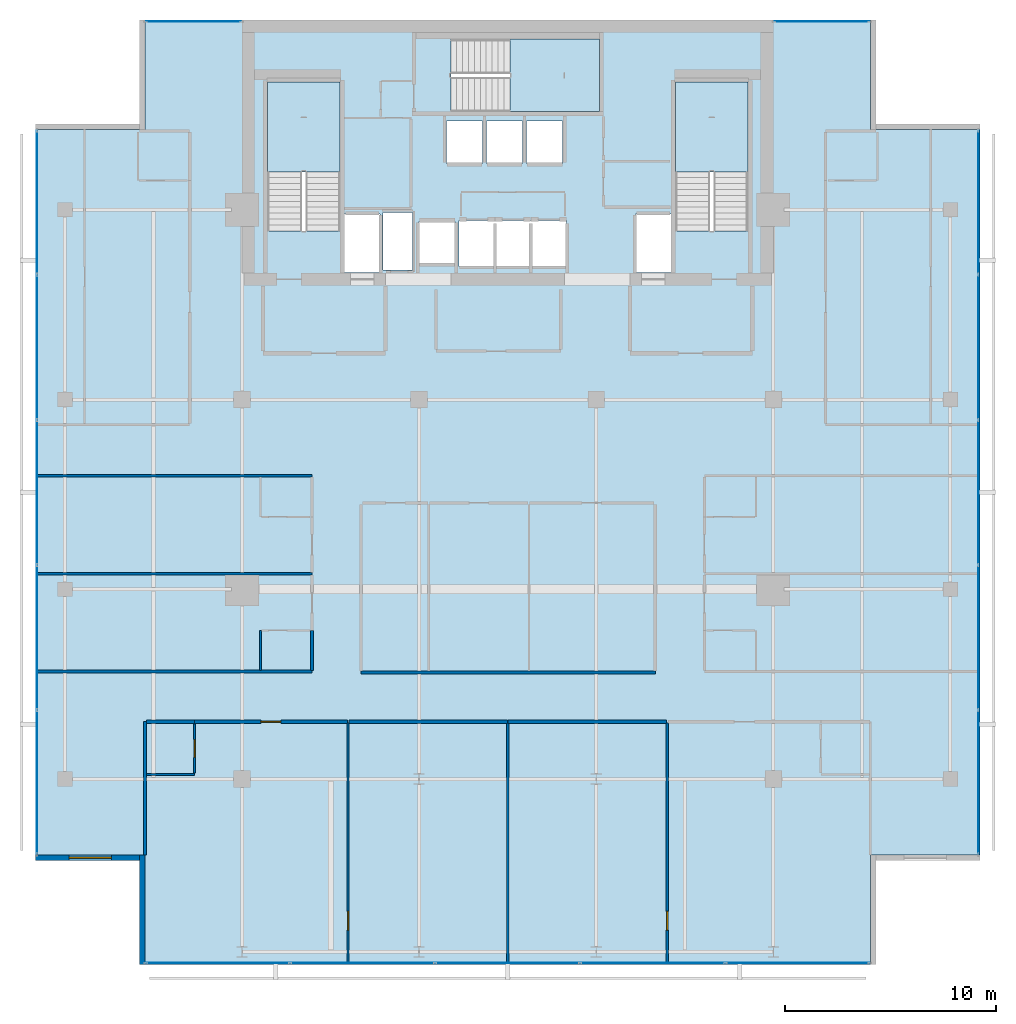
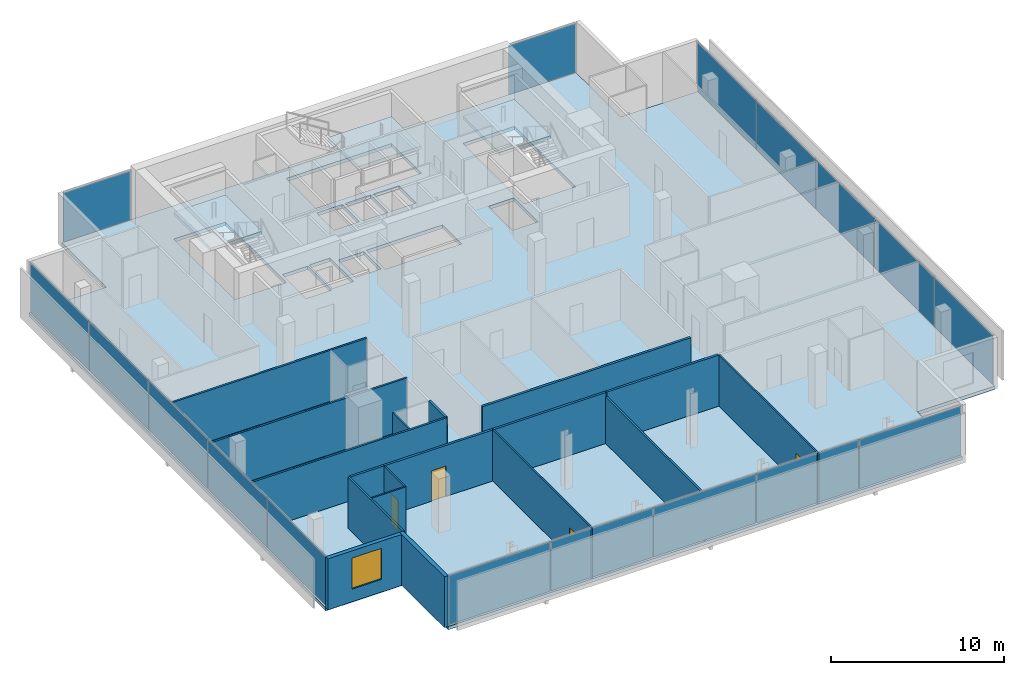
# One storey, part 19 of 25: 18 walls, 17 plates, 4 doors, 4 slabs, 1 window, 5 openings, 8 elements without a shape of their own.
"""IFC4 building model written with IfcOpenShell, lengths in metres."""

from ifc_helpers import new_model, si_unit, direction, frame, frame_2d, origin, origin_2d, place, context, subcontext, project, spatial, polyline, rectangle, outline, extrude, material, layer, layer_set, type_object, element, fill, aggregate, save


model = new_model("IFC4")

# Units and contexts
model_context = context("Model", 3, precision=1e-05, world=origin(), true_north=direction((0.0, 1.0)))
body_context = subcontext(model_context, "Body", "Model", "MODEL_VIEW")
ifc_project = project(units=[si_unit("LENGTHUNIT", "METRE"), si_unit("AREAUNIT", "SQUARE_METRE"), si_unit("VOLUMEUNIT", "CUBIC_METRE"), si_unit("PLANEANGLEUNIT", "RADIAN"), si_unit("MASSUNIT", "GRAM", prefix="KILO")], contexts=[model_context])

# Site, building, storey
site_placement = place(None, origin())
site = spatial("IfcSite", under=ifc_project, at=site_placement, CompositionType="ELEMENT")
building_placement = place(site_placement, origin())
building = spatial("IfcBuilding", under=site, at=building_placement, Name="Maruvema Waterfront Hotel and Observation Tower", CompositionType="ELEMENT")
storey_placement = place(building_placement, frame((0.0, 0.0, 281.75)))
storey = spatial("IfcBuildingStorey", under=building, at=storey_placement, Name="L69", CompositionType="ELEMENT", Elevation=281.75)

# Slab
ifc_material_1 = material(Name="Concrete C50/60", Category="concrete")
ifc_layer_1 = layer(ifc_material_1, 0.239990234375, Name="Reinforced Concrete Floor Slab 240 mm")
ifc_layer_set_1 = layer_set([ifc_layer_1], Name="Concrete C50/60")
slab_type_1 = type_object("IfcSlabType", Name="Reinforced Concrete Floor Slab 240 mm", PredefinedType="FLOOR", material=ifc_layer_set_1)
slab_1_placement = place(storey_placement, frame((0.0, 0.0, -0.239990234375)))
element("IfcSlab", 1, at=slab_1_placement, inside=storey, type_object=slab_type_1, Name="L69 Structural Floor Slab", PredefinedType="FLOOR", context=body_context, shape_type="SweptSolid", body=[
    extrude(outline(polyline([(20.60009765625, 9.199951171875), (55.0, 9.199951171875), (55.0, 14.39990234375), (60.199951171875, 14.39990234375), (60.199951171875, 48.800048828125), (55.0, 48.800048828125), (55.0, 54.0), (20.60009765625, 54.0), (20.60009765625, 48.800048828125), (15.39990234375, 48.800048828125), (15.39990234375, 14.39990234375), (20.60009765625, 14.39990234375), (20.60009765625, 9.199951171875)]), holes=[polyline([(26.39990234375, 44.00048828125), (26.39990234375, 51.050048828125), (29.85009765625, 51.050048828125), (29.85009765625, 44.00048828125), (26.39990234375, 44.00048828125)]), polyline([(30.050048828125, 44.800048828125), (31.75, 44.800048828125), (31.75, 42.02001953125), (30.050048828125, 42.02001953125), (30.050048828125, 44.800048828125)]), polyline([(31.8798828125, 42.139892578125), (31.8798828125, 44.860107421875), (33.280029296875, 44.860107421875), (33.280029296875, 42.139892578125), (31.8798828125, 42.139892578125)]), polyline([(33.60009765625, 44.449951171875), (35.300048828125, 44.449951171875), (35.300048828125, 42.449951171875), (33.60009765625, 42.449951171875), (33.60009765625, 44.449951171875)]), polyline([(34.89990234375, 49.199951171875), (36.60009765625, 49.199951171875), (36.60009765625, 47.199951171875), (34.89990234375, 47.199951171875), (34.89990234375, 49.199951171875)]), polyline([(36.800048828125, 47.199951171875), (36.800048828125, 49.199951171875), (38.5, 49.199951171875), (38.5, 47.199951171875), (36.800048828125, 47.199951171875)]), polyline([(35.5, 42.300048828125), (35.5, 44.5), (40.60009765625, 44.5), (40.60009765625, 42.300048828125), (35.5, 42.300048828125)]), polyline([(35.1005859375, 53.10009765625), (42.14990234375, 53.10009765625), (42.14990234375, 49.64990234375), (35.1005859375, 49.64990234375), (35.1005859375, 53.10009765625)]), polyline([(38.699951171875, 49.199951171875), (40.39990234375, 49.199951171875), (40.39990234375, 47.199951171875), (38.699951171875, 47.199951171875), (38.699951171875, 49.199951171875)]), polyline([(43.85009765625, 44.800048828125), (45.550048828125, 44.800048828125), (45.550048828125, 42.02001953125), (43.85009765625, 42.02001953125), (43.85009765625, 44.800048828125)]), polyline([(45.75, 44.00048828125), (45.75, 51.050048828125), (49.199951171875, 51.050048828125), (49.199951171875, 44.00048828125), (45.75, 44.00048828125)])]), origin(), (0.0, 0.0, 1.0), 0.239990234375),
])

# Curtain wall, plates
ifc_material_2 = material(Name="Anodised bronze aluminium and solar-control low-E IGU", Category="aluminium")
ifc_layer_2 = layer(ifc_material_2, 0.159912109375, Name="Zone 3 Champagne Inner Thermal Curtain Wall System CW-04")
ifc_layer_set_2 = layer_set([ifc_layer_2], Name="Anodised bronze aluminium and solar-control low-E IGU")
curtain_wall_type = type_object("IfcCurtainWallType", Name="Zone 3 Champagne Inner Thermal Curtain Wall System CW-04", PredefinedType="USERDEFINED", material=ifc_layer_set_2)
curtain_wall_1_placement = place(storey_placement, origin())
curtain_wall_1 = element("IfcCurtainWall", 2, at=curtain_wall_1_placement, inside=storey, type_object=curtain_wall_type, Name="L69 Curtain Wall CW-L69-S", ObjectType="UNITISED CURTAIN WALL", PredefinedType="USERDEFINED")
ifc_material_3 = material(Name="Laminated low-E solar-control double glazing", Category="glass")
ifc_layer_3 = layer(ifc_material_3, 0.035888671875, Name="Solar Control Double-Glazed Curtain Panel 36 mm")
ifc_layer_set_3 = layer_set([ifc_layer_3], Name="Laminated low-E solar-control double glazing")
plate_type = type_object("IfcPlateType", Name="Solar Control Double-Glazed Curtain Panel 36 mm", PredefinedType="CURTAIN_PANEL", material=ifc_layer_set_3)
plate_1_placement = place(storey_placement, frame((24.054931640625, 9.280029296875, 0.06005859375), z_axis=(0.0, 0.0, 1.0), x_axis=(1.0, 0.0, 0.0)))
plate_1 = element("IfcPlate", 3, at=plate_1_placement, type_object=plate_type, Name="CW-04 panel 1.1", PredefinedType="CURTAIN_PANEL", context=body_context, shape_type="SweptSolid", body=[
    extrude(rectangle(XDim=6.7900390625, YDim=0.028076171875, at=origin_2d()), origin(), (0.0, 0.0, 1.0), 3.489990234375),
])
plate_2_placement = place(storey_placement, frame((30.919921875, 9.280029296875, 0.06005859375), z_axis=(0.0, 0.0, 1.0), x_axis=(1.0, 0.0, 0.0)))
plate_2 = element("IfcPlate", 4, at=plate_2_placement, type_object=plate_type, Name="CW-04 panel 2.1", PredefinedType="CURTAIN_PANEL", context=body_context, shape_type="SweptSolid", body=[
    extrude(rectangle(XDim=6.820068359375, YDim=0.028076171875, at=origin_2d()), origin(), (0.0, 0.0, 1.0), 3.489990234375),
])
plate_3_placement = place(storey_placement, frame((37.800048828125, 9.280029296875, 0.06005859375), z_axis=(0.0, 0.0, 1.0), x_axis=(1.0, 0.0, 0.0)))
plate_3 = element("IfcPlate", 5, at=plate_3_placement, type_object=plate_type, Name="CW-04 panel 3.1", PredefinedType="CURTAIN_PANEL", context=body_context, shape_type="SweptSolid", body=[
    extrude(rectangle(XDim=6.820068359375, YDim=0.028076171875, at=origin_2d()), origin(), (0.0, 0.0, 1.0), 3.489990234375),
])
plate_4_placement = place(storey_placement, frame((44.679931640625, 9.280029296875, 0.06005859375), z_axis=(0.0, 0.0, 1.0), x_axis=(1.0, 0.0, 0.0)))
plate_4 = element("IfcPlate", 6, at=plate_4_placement, type_object=plate_type, Name="CW-04 panel 4.1", PredefinedType="CURTAIN_PANEL", context=body_context, shape_type="SweptSolid", body=[
    extrude(rectangle(XDim=6.820068359375, YDim=0.028076171875, at=origin_2d()), origin(), (0.0, 0.0, 1.0), 3.489990234375),
])
plate_5_placement = place(storey_placement, frame((51.544921875, 9.280029296875, 0.06005859375), z_axis=(0.0, 0.0, 1.0), x_axis=(1.0, 0.0, 0.0)))
plate_5 = element("IfcPlate", 7, at=plate_5_placement, type_object=plate_type, Name="CW-04 panel 5.1", PredefinedType="CURTAIN_PANEL", context=body_context, shape_type="SweptSolid", body=[
    extrude(rectangle(XDim=6.7900390625, YDim=0.028076171875, at=origin_2d()), origin(), (0.0, 0.0, 1.0), 3.489990234375),
])
aggregate(curtain_wall_1, [plate_1, plate_2, plate_3, plate_4, plate_5])

curtain_wall_2_placement = place(storey_placement, origin())
curtain_wall_2 = element("IfcCurtainWall", 8, at=curtain_wall_2_placement, inside=storey, type_object=curtain_wall_type, Name="L69 Curtain Wall CW-L69-E", ObjectType="UNITISED CURTAIN WALL", PredefinedType="USERDEFINED")
plate_6_placement = place(storey_placement, frame((60.1201171875, 17.85498046875, 0.06005859375), z_axis=(0.0, 0.0, 1.0), x_axis=(0.0, 1.0, 0.0)))
plate_6 = element("IfcPlate", 9, at=plate_6_placement, type_object=plate_type, Name="CW-04 panel 1.1", PredefinedType="CURTAIN_PANEL", context=body_context, shape_type="SweptSolid", body=[
    extrude(rectangle(XDim=6.7900390625, YDim=0.028076171875, at=origin_2d()), origin(), (0.0, 0.0, 1.0), 3.489990234375),
])
plate_7_placement = place(storey_placement, frame((60.1201171875, 24.719970703125, 0.06005859375), z_axis=(0.0, 0.0, 1.0), x_axis=(0.0, 1.0, 0.0)))
plate_7 = element("IfcPlate", 10, at=plate_7_placement, type_object=plate_type, Name="CW-04 panel 2.1", PredefinedType="CURTAIN_PANEL", context=body_context, shape_type="SweptSolid", body=[
    extrude(rectangle(XDim=6.820068359375, YDim=0.028076171875, at=origin_2d()), origin(), (0.0, 0.0, 1.0), 3.489990234375),
])
plate_8_placement = place(storey_placement, frame((60.1201171875, 31.60009765625, 0.06005859375), z_axis=(0.0, 0.0, 1.0), x_axis=(0.0, 1.0, 0.0)))
plate_8 = element("IfcPlate", 11, at=plate_8_placement, type_object=plate_type, Name="CW-04 panel 3.1", PredefinedType="CURTAIN_PANEL", context=body_context, shape_type="SweptSolid", body=[
    extrude(rectangle(XDim=6.820068359375, YDim=0.028076171875, at=origin_2d()), origin(), (0.0, 0.0, 1.0), 3.489990234375),
])
plate_9_placement = place(storey_placement, frame((60.1201171875, 38.47998046875, 0.06005859375), z_axis=(0.0, 0.0, 1.0), x_axis=(0.0, 1.0, 0.0)))
plate_9 = element("IfcPlate", 12, at=plate_9_placement, type_object=plate_type, Name="CW-04 panel 4.1", PredefinedType="CURTAIN_PANEL", context=body_context, shape_type="SweptSolid", body=[
    extrude(rectangle(XDim=6.820068359375, YDim=0.028076171875, at=origin_2d()), origin(), (0.0, 0.0, 1.0), 3.489990234375),
])
plate_10_placement = place(storey_placement, frame((60.1201171875, 45.344970703125, 0.06005859375), z_axis=(0.0, 0.0, 1.0), x_axis=(0.0, 1.0, 0.0)))
plate_10 = element("IfcPlate", 13, at=plate_10_placement, type_object=plate_type, Name="CW-04 panel 5.1", PredefinedType="CURTAIN_PANEL", context=body_context, shape_type="SweptSolid", body=[
    extrude(rectangle(XDim=6.7900390625, YDim=0.028076171875, at=origin_2d()), origin(), (0.0, 0.0, 1.0), 3.489990234375),
])
aggregate(curtain_wall_2, [plate_6, plate_7, plate_8, plate_9, plate_10])

curtain_wall_3_placement = place(storey_placement, origin())
curtain_wall_3 = element("IfcCurtainWall", 14, at=curtain_wall_3_placement, inside=storey, type_object=curtain_wall_type, Name="L69 Curtain Wall CW-L69-W", ObjectType="UNITISED CURTAIN WALL", PredefinedType="USERDEFINED")
plate_11_placement = place(storey_placement, frame((15.47998046875, 45.344970703125, 0.06005859375), z_axis=(0.0, 0.0, 1.0), x_axis=(0.0, -1.0, 0.0)))
plate_11 = element("IfcPlate", 15, at=plate_11_placement, type_object=plate_type, Name="CW-04 panel 1.1", PredefinedType="CURTAIN_PANEL", context=body_context, shape_type="SweptSolid", body=[
    extrude(rectangle(XDim=6.7900390625, YDim=0.028076171875, at=origin_2d()), origin(), (0.0, 0.0, 1.0), 3.489990234375),
])
plate_12_placement = place(storey_placement, frame((15.47998046875, 38.47998046875, 0.06005859375), z_axis=(0.0, 0.0, 1.0), x_axis=(0.0, -1.0, 0.0)))
plate_12 = element("IfcPlate", 16, at=plate_12_placement, type_object=plate_type, Name="CW-04 panel 2.1", PredefinedType="CURTAIN_PANEL", context=body_context, shape_type="SweptSolid", body=[
    extrude(rectangle(XDim=6.820068359375, YDim=0.028076171875, at=origin_2d()), origin(), (0.0, 0.0, 1.0), 3.489990234375),
])
plate_13_placement = place(storey_placement, frame((15.47998046875, 31.60009765625, 0.06005859375), z_axis=(0.0, 0.0, 1.0), x_axis=(0.0, -1.0, 0.0)))
plate_13 = element("IfcPlate", 17, at=plate_13_placement, type_object=plate_type, Name="CW-04 panel 3.1", PredefinedType="CURTAIN_PANEL", context=body_context, shape_type="SweptSolid", body=[
    extrude(rectangle(XDim=6.820068359375, YDim=0.028076171875, at=origin_2d()), origin(), (0.0, 0.0, 1.0), 3.489990234375),
])
plate_14_placement = place(storey_placement, frame((15.47998046875, 24.719970703125, 0.06005859375), z_axis=(0.0, 0.0, 1.0), x_axis=(0.0, -1.0, 0.0)))
plate_14 = element("IfcPlate", 18, at=plate_14_placement, type_object=plate_type, Name="CW-04 panel 4.1", PredefinedType="CURTAIN_PANEL", context=body_context, shape_type="SweptSolid", body=[
    extrude(rectangle(XDim=6.820068359375, YDim=0.028076171875, at=origin_2d()), origin(), (0.0, 0.0, 1.0), 3.489990234375),
])
plate_15_placement = place(storey_placement, frame((15.47998046875, 17.85498046875, 0.06005859375), z_axis=(0.0, 0.0, 1.0), x_axis=(0.0, -1.0, 0.0)))
plate_15 = element("IfcPlate", 19, at=plate_15_placement, type_object=plate_type, Name="CW-04 panel 5.1", PredefinedType="CURTAIN_PANEL", context=body_context, shape_type="SweptSolid", body=[
    extrude(rectangle(XDim=6.7900390625, YDim=0.028076171875, at=origin_2d()), origin(), (0.0, 0.0, 1.0), 3.489990234375),
])
aggregate(curtain_wall_3, [plate_11, plate_12, plate_13, plate_14, plate_15])

# Curtain wall, plate
curtain_wall_4_placement = place(storey_placement, origin())
curtain_wall_4 = element("IfcCurtainWall", 20, at=curtain_wall_4_placement, inside=storey, type_object=curtain_wall_type, Name="L69 Curtain Wall CW-L69-NW", ObjectType="UNITISED CURTAIN WALL", PredefinedType="USERDEFINED")
plate_16_placement = place(storey_placement, frame((22.89990234375, 53.919921875, 0.06005859375), z_axis=(0.0, 0.0, 1.0), x_axis=(-1.0, 0.0, 0.0)))
plate_16 = element("IfcPlate", 21, at=plate_16_placement, type_object=plate_type, Name="CW-04 panel 1.1", PredefinedType="CURTAIN_PANEL", context=body_context, shape_type="SweptSolid", body=[
    extrude(rectangle(XDim=4.47998046875, YDim=0.028076171875, at=origin_2d()), origin(), (0.0, 0.0, 1.0), 3.489990234375),
])
aggregate(curtain_wall_4, [plate_16])

curtain_wall_5_placement = place(storey_placement, origin())
curtain_wall_5 = element("IfcCurtainWall", 22, at=curtain_wall_5_placement, inside=storey, type_object=curtain_wall_type, Name="L69 Curtain Wall CW-L69-NE", ObjectType="UNITISED CURTAIN WALL", PredefinedType="USERDEFINED")
plate_17_placement = place(storey_placement, frame((52.699951171875, 53.919921875, 0.06005859375), z_axis=(0.0, 0.0, 1.0), x_axis=(-1.0, 0.0, 0.0)))
plate_17 = element("IfcPlate", 23, at=plate_17_placement, type_object=plate_type, Name="CW-04 panel 1.1", PredefinedType="CURTAIN_PANEL", context=body_context, shape_type="SweptSolid", body=[
    extrude(rectangle(XDim=4.47998046875, YDim=0.028076171875, at=origin_2d()), origin(), (0.0, 0.0, 1.0), 3.489990234375),
])
aggregate(curtain_wall_5, [plate_17])

# Stair, slab
ifc_material_4 = material(Name="Concrete C50/60", Category="concrete")
stair_type = type_object("IfcStairType", Name="Dogleg Exit Stair 1650 mm (22R x 175.0 mm)", PredefinedType="HALF_TURN_STAIR", material=ifc_material_4)
stair_1_placement = place(storey_placement, origin())
stair_1 = element("IfcStair", 24, at=stair_1_placement, inside=storey, type_object=stair_type, Name="L69 ST-01", PredefinedType="HALF_TURN_STAIR")
ifc_material_5 = material(Name="Concrete C50/60", Category="concrete")
ifc_layer_4 = layer(ifc_material_5, 0.219970703125, Name="Stair Concrete Landing Slab 220 mm")
ifc_layer_set_4 = layer_set([ifc_layer_4], Name="Concrete C50/60")
slab_type_2 = type_object("IfcSlabType", Name="Stair Concrete Landing Slab 220 mm", PredefinedType="LANDING", material=ifc_layer_set_4)
slab_2_placement = place(storey_placement, frame((0.0, 0.0, 1.705078125)))
slab_2 = element("IfcSlab", 25, at=slab_2_placement, type_object=slab_type_2, Name="ST-01 landing 1", PredefinedType="LANDING", context=body_context, shape_type="SweptSolid", body=[
    extrude(outline(polyline([(29.85009765625, 46.800048828125), (29.85009765625, 51.050048828125), (26.39990234375, 51.050048828125), (26.39990234375, 46.800048828125), (29.85009765625, 46.800048828125)])), origin(), (0.0, 0.0, 1.0), 0.219970703125),
])
aggregate(stair_1, [slab_2])

stair_2_placement = place(storey_placement, origin())
stair_2 = element("IfcStair", 26, at=stair_2_placement, inside=storey, type_object=stair_type, Name="L69 ST-02", PredefinedType="HALF_TURN_STAIR")
slab_3_placement = place(storey_placement, frame((0.0, 0.0, 1.705078125)))
slab_3 = element("IfcSlab", 27, at=slab_3_placement, type_object=slab_type_2, Name="ST-02 landing 1", PredefinedType="LANDING", context=body_context, shape_type="SweptSolid", body=[
    extrude(outline(polyline([(37.89990234375, 49.64990234375), (42.14990234375, 49.64990234375), (42.14990234375, 53.10009765625), (37.89990234375, 53.10009765625), (37.89990234375, 49.64990234375)])), origin(), (0.0, 0.0, 1.0), 0.219970703125),
])
aggregate(stair_2, [slab_3])

stair_3_placement = place(storey_placement, origin())
stair_3 = element("IfcStair", 28, at=stair_3_placement, inside=storey, type_object=stair_type, Name="L69 ST-03", PredefinedType="HALF_TURN_STAIR")
slab_4_placement = place(storey_placement, frame((0.0, 0.0, 1.705078125)))
slab_4 = element("IfcSlab", 29, at=slab_4_placement, type_object=slab_type_2, Name="ST-03 landing 1", PredefinedType="LANDING", context=body_context, shape_type="SweptSolid", body=[
    extrude(outline(polyline([(49.199951171875, 46.800048828125), (49.199951171875, 51.050048828125), (45.75, 51.050048828125), (45.75, 46.800048828125), (49.199951171875, 46.800048828125)])), origin(), (0.0, 0.0, 1.0), 0.219970703125),
])
aggregate(stair_3, [slab_4])

# Walls
ifc_material_6 = material(Name="Twin-stud acoustic gypsum drywall", Category="gypsum")
ifc_layer_5 = layer(ifc_material_6, 0.14990234375, Name="Acoustic Corridor and Suite Demising Wall 150 mm")
ifc_layer_set_5 = layer_set([ifc_layer_5], Name="Twin-stud acoustic gypsum drywall")
wall_type_1 = type_object("IfcWallType", Name="Acoustic Corridor and Suite Demising Wall 150 mm", PredefinedType="PARTITIONING", material=ifc_layer_set_5)
wall_1_placement = place(storey_placement, frame((30.85009765625, 23.050048828125, 0.0), z_axis=(0.0, 0.0, 1.0), x_axis=(1.0, 0.0, 0.0)))
element("IfcWall", 30, at=wall_1_placement, inside=storey, type_object=wall_type_1, Name="L69 L69-Z3M Back Wall 025", PredefinedType="PARTITIONING", context=body_context, shape_type="SweptSolid", body=[
    extrude(rectangle(XDim=13.949951171875, YDim=0.14990234375, at=frame_2d((6.97509765625, 0.0))), origin(), (0.0, 0.0, 1.0), 3.610107421875),
])
wall_2_placement = place(storey_placement, frame((20.679931640625, 20.719970703125, 0.0), z_axis=(0.0, 0.0, 1.0), x_axis=(1.0, 0.0, 0.0)))
element("IfcWall", 31, at=wall_2_placement, inside=storey, type_object=wall_type_1, Name="L69 Bath L69-S1 Back Wall 035", PredefinedType="PARTITIONING", context=body_context, shape_type="SweptSolid", body=[
    extrude(rectangle(XDim=2.27001953125, YDim=0.14990234375, at=frame_2d((1.135009765625, 0.0))), origin(), (0.0, 0.0, 1.0), 3.610107421875),
])

# Wall, opening, door
wall_3_placement = place(storey_placement, frame((22.949951171875, 20.719970703125, 0.0), z_axis=(0.0, 0.0, 1.0), x_axis=(1.0, 0.0, 0.0)))
wall_3 = element("IfcWall", 32, at=wall_3_placement, inside=storey, type_object=wall_type_1, Name="L69 Unit L69-S1 Corridor Wall 038", PredefinedType="PARTITIONING", context=body_context, shape_type="SweptSolid", body=[
    extrude(rectangle(XDim=7.241943359375, YDim=0.14990234375, at=frame_2d((3.62109375, 0.0))), origin(), (0.0, 0.0, 1.0), 3.610107421875),
])
opening_1_placement = place(wall_3_placement, frame((3.14599609375, 0.0, 0.0)))
opening_1 = element("IfcOpeningElement", 33, at=opening_1_placement, cuts=wall_3, Name="Opening DR-095", PredefinedType="OPENING", context=body_context, shape_type="SweptSolid", body=[
    extrude(rectangle(XDim=0.949951171875, YDim=2.14990234375, at=frame_2d((0.47509765625, 1.074951171875))), frame((0.0, 0.0849609375, 0.0), z_axis=(0.0, -1.0, 0.0), x_axis=(1.0, 0.0, 0.0)), (0.0, 0.0, 1.0), 0.169921875),
])
ifc_material_7 = material(Name="Acoustic solid-core hardwood timber leaf", Category="wood")
door_type_1 = type_object("IfcDoorType", Name="Guestroom Entrance Fire Door 950x2150 mm", OperationType="NOTDEFINED", PredefinedType="DOOR", material=ifc_material_7)
door_1_placement = place(opening_1_placement, frame((0.949951171875, 0.0, 0.0), z_axis=(0.0, 0.0, 1.0), x_axis=(-1.0, 0.0, 0.0)))
door_1 = element("IfcDoor", 34, at=door_1_placement, inside=storey, type_object=door_type_1, Name="L69 Unit L69-S1 Entrance Door", OperationType="SINGLE_SWING_LEFT", OverallHeight=2.14990234375, OverallWidth=0.949951171875, PredefinedType="DOOR", context=body_context, shape_type="SweptSolid", body=[
    extrude(rectangle(XDim=0.949951171875, YDim=2.14990234375, at=frame_2d((0.47509765625, 1.074951171875))), frame((0.0, 0.02490234375, 0.0), z_axis=(0.0, -1.0, 0.0), x_axis=(1.0, 0.0, 0.0)), (0.0, 0.0, 1.0), 0.050048828125),
])
fill(opening_1, door_1)

# Walls
wall_4_placement = place(storey_placement, frame((30.27197265625, 20.719970703125, 0.0), z_axis=(0.0, 0.0, 1.0), x_axis=(1.0, 0.0, 0.0)))
element("IfcWall", 35, at=wall_4_placement, inside=storey, type_object=wall_type_1, Name="L69 Bedroom L69-S1 Back Wall 039", PredefinedType="PARTITIONING", context=body_context, shape_type="SweptSolid", body=[
    extrude(rectangle(XDim=7.508056640625, YDim=0.14990234375, at=frame_2d((3.75390625, 0.0))), origin(), (0.0, 0.0, 1.0), 3.610107421875),
])
wall_5_placement = place(storey_placement, frame((37.820068359375, 20.719970703125, 0.0), z_axis=(0.0, 0.0, 1.0), x_axis=(1.0, 0.0, 0.0)))
element("IfcWall", 36, at=wall_5_placement, inside=storey, type_object=wall_type_1, Name="L69 Bedroom L69-S2 Back Wall 045", PredefinedType="PARTITIONING", context=body_context, shape_type="SweptSolid", body=[
    extrude(rectangle(XDim=7.5078125, YDim=0.14990234375, at=frame_2d((3.75390625, 0.0))), origin(), (0.0, 0.0, 1.0), 3.610107421875),
])
wall_6_placement = place(storey_placement, frame((28.52001953125, 23.159912109375, 0.0), z_axis=(0.0, 0.0, 1.0), x_axis=(0.0, 1.0, 0.0)))
element("IfcWall", 37, at=wall_6_placement, inside=storey, type_object=wall_type_1, Name="L69 Bath L69-W1 Wall 052", PredefinedType="PARTITIONING", context=body_context, shape_type="SweptSolid", body=[
    extrude(rectangle(XDim=1.89013671875, YDim=0.14990234375, at=frame_2d((0.945068359375, 0.0))), origin(), (0.0, 0.0, 1.0), 3.610107421875),
])
ifc_material_8 = material(Name="Moisture-resistant cement-board drywall", Category="gypsum")
ifc_layer_6 = layer(ifc_material_8, 0.10009765625, Name="En-Suite Moisture-Resistant Partition 100 mm")
ifc_layer_set_6 = layer_set([ifc_layer_6], Name="Moisture-resistant cement-board drywall")
wall_type_2 = type_object("IfcWallType", Name="En-Suite Moisture-Resistant Partition 100 mm", PredefinedType="PARTITIONING", material=ifc_layer_set_6)
wall_7_placement = place(storey_placement, frame((20.679931640625, 18.219970703125, 0.0), z_axis=(0.0, 0.0, 1.0), x_axis=(1.0, 0.0, 0.0)))
element("IfcWall", 38, at=wall_7_placement, inside=storey, type_object=wall_type_2, Name="L69 En-Suite L69-S1 South 036", PredefinedType="PARTITIONING", context=body_context, shape_type="SweptSolid", body=[
    extrude(rectangle(XDim=2.27001953125, YDim=0.10009765625, at=frame_2d((1.135009765625, 0.0))), origin(), (0.0, 0.0, 1.0), 3.610107421875),
])

# Wall, opening, door
wall_8_placement = place(storey_placement, frame((22.949951171875, 18.280029296875, 0.0), z_axis=(0.0, 0.0, 1.0), x_axis=(0.0, 1.0, 0.0)))
wall_8 = element("IfcWall", 39, at=wall_8_placement, inside=storey, type_object=wall_type_2, Name="L69 En-Suite L69-S1 East 037", PredefinedType="PARTITIONING", context=body_context, shape_type="SweptSolid", body=[
    extrude(rectangle(XDim=2.340087890625, YDim=0.10009765625, at=frame_2d((1.169921875, 0.0))), origin(), (0.0, 0.0, 1.0), 3.610107421875),
])
opening_2_placement = place(wall_8_placement, frame((0.7451171875, 0.0, 0.0)))
opening_2 = element("IfcOpeningElement", 40, at=opening_2_placement, cuts=wall_8, Name="Opening DR-085", PredefinedType="OPENING", context=body_context, shape_type="SweptSolid", body=[
    extrude(rectangle(XDim=0.85009765625, YDim=2.10009765625, at=frame_2d((0.425048828125, 1.050048828125))), frame((0.0, 0.06005859375, 0.0), z_axis=(0.0, -1.0, 0.0), x_axis=(1.0, 0.0, 0.0)), (0.0, 0.0, 1.0), 0.1201171875),
])
ifc_material_9 = material(Name="Moisture-resistant solid timber leaf", Category="wood")
door_type_2 = type_object("IfcDoorType", Name="En-Suite Bathroom Door 850x2100 mm", OperationType="NOTDEFINED", PredefinedType="DOOR", material=ifc_material_9)
door_2_placement = place(opening_2_placement, frame((0.85009765625, 0.0, 0.0), z_axis=(0.0, 0.0, 1.0), x_axis=(-1.0, 0.0, 0.0)))
door_2 = element("IfcDoor", 41, at=door_2_placement, inside=storey, type_object=door_type_2, Name="L69 En-Suite L69-S1 Door", OperationType="SINGLE_SWING_RIGHT", OverallHeight=2.10009765625, OverallWidth=0.85009765625, PredefinedType="DOOR", context=body_context, shape_type="SweptSolid", body=[
    extrude(rectangle(XDim=0.85009765625, YDim=2.10009765625, at=frame_2d((0.425048828125, 1.050048828125))), frame((0.0, 0.02490234375, 0.0), z_axis=(0.0, -1.0, 0.0), x_axis=(1.0, 0.0, 0.0)), (0.0, 0.0, 1.0), 0.050048828125),
])
fill(opening_2, door_2)

wall_9_placement = place(storey_placement, frame((30.23193359375, 9.22998046875, 0.0), z_axis=(0.0, 0.0, 1.0), x_axis=(0.0, 1.0, 0.0)))
wall_9 = element("IfcWall", 42, at=wall_9_placement, inside=storey, type_object=wall_type_2, Name="L69 Suite L69-S1 Split 040", PredefinedType="PARTITIONING", context=body_context, shape_type="SweptSolid", body=[
    extrude(rectangle(XDim=11.429931640625, YDim=0.10009765625, at=frame_2d((5.71484375, 0.0))), origin(), (0.0, 0.0, 1.0), 3.610107421875),
])
opening_3_placement = place(wall_9_placement, frame((1.60009765625, 0.0, 0.0)))
opening_3 = element("IfcOpeningElement", 43, at=opening_3_placement, cuts=wall_9, Name="Opening DR-090", PredefinedType="OPENING", context=body_context, shape_type="SweptSolid", body=[
    extrude(rectangle(XDim=0.89990234375, YDim=2.10009765625, at=frame_2d((0.449951171875, 1.050048828125))), frame((0.0, 0.06005859375, 0.0), z_axis=(0.0, -1.0, 0.0), x_axis=(1.0, 0.0, 0.0)), (0.0, 0.0, 1.0), 0.1201171875),
])
ifc_material_10 = material(Name="Solid-core lacquered timber leaf", Category="wood")
door_type_3 = type_object("IfcDoorType", Name="Accessible Toilet and Room Door 900x2100 mm", OperationType="NOTDEFINED", PredefinedType="DOOR", material=ifc_material_10)
door_3_placement = place(opening_3_placement, origin())
door_3 = element("IfcDoor", 44, at=door_3_placement, inside=storey, type_object=door_type_3, Name="L69 Suite L69-S1 Bedroom Door", OperationType="SINGLE_SWING_RIGHT", OverallHeight=2.10009765625, OverallWidth=0.89990234375, PredefinedType="DOOR", context=body_context, shape_type="SweptSolid", body=[
    extrude(rectangle(XDim=0.89990234375, YDim=2.10009765625, at=frame_2d((0.449951171875, 1.050048828125))), frame((0.0, 0.02490234375, 0.0), z_axis=(0.0, -1.0, 0.0), x_axis=(1.0, 0.0, 0.0)), (0.0, 0.0, 1.0), 0.050048828125),
])
fill(opening_3, door_3)

wall_10_placement = place(storey_placement, frame((45.367919921875, 9.22998046875, 0.0), z_axis=(0.0, 0.0, 1.0), x_axis=(0.0, 1.0, 0.0)))
wall_10 = element("IfcWall", 45, at=wall_10_placement, inside=storey, type_object=wall_type_2, Name="L69 Suite L69-S2 Split 047", PredefinedType="PARTITIONING", context=body_context, shape_type="SweptSolid", body=[
    extrude(rectangle(XDim=11.429931640625, YDim=0.10009765625, at=frame_2d((5.71484375, 0.0))), origin(), (0.0, 0.0, 1.0), 3.610107421875),
])
opening_4_placement = place(wall_10_placement, frame((1.60009765625, 0.0, 0.0)))
opening_4 = element("IfcOpeningElement", 46, at=opening_4_placement, cuts=wall_10, Name="Opening DR-090", PredefinedType="OPENING", context=body_context, shape_type="SweptSolid", body=[
    extrude(rectangle(XDim=0.89990234375, YDim=2.10009765625, at=frame_2d((0.449951171875, 1.050048828125))), frame((0.0, 0.06005859375, 0.0), z_axis=(0.0, -1.0, 0.0), x_axis=(1.0, 0.0, 0.0)), (0.0, 0.0, 1.0), 0.1201171875),
])
door_4_placement = place(opening_4_placement, frame((0.89990234375, 0.0, 0.0), z_axis=(0.0, 0.0, 1.0), x_axis=(-1.0, 0.0, 0.0)))
door_4 = element("IfcDoor", 47, at=door_4_placement, inside=storey, type_object=door_type_3, Name="L69 Suite L69-S2 Bedroom Door", OperationType="SINGLE_SWING_LEFT", OverallHeight=2.10009765625, OverallWidth=0.89990234375, PredefinedType="DOOR", context=body_context, shape_type="SweptSolid", body=[
    extrude(rectangle(XDim=0.89990234375, YDim=2.10009765625, at=frame_2d((0.449951171875, 1.050048828125))), frame((0.0, 0.02490234375, 0.0), z_axis=(0.0, -1.0, 0.0), x_axis=(1.0, 0.0, 0.0)), (0.0, 0.0, 1.0), 0.050048828125),
])
fill(opening_4, door_4)

# Walls
wall_11_placement = place(storey_placement, frame((26.070068359375, 23.159912109375, 0.0), z_axis=(0.0, 0.0, 1.0), x_axis=(0.0, 1.0, 0.0)))
element("IfcWall", 48, at=wall_11_placement, inside=storey, type_object=wall_type_2, Name="L69 En-Suite L69-W1 W 054", PredefinedType="PARTITIONING", context=body_context, shape_type="SweptSolid", body=[
    extrude(rectangle(XDim=1.89013671875, YDim=0.10009765625, at=frame_2d((0.945068359375, 0.0))), origin(), (0.0, 0.0, 1.0), 3.610107421875),
])
ifc_material_11 = material(Name="Precast concrete C45/55 with honed Pernambuco granite facing", Category="masonry")
ifc_layer_7 = layer(ifc_material_11, 0.260009765625, Name="Exterior Granite Clad Spandrel and Pier Wall 260 mm")
ifc_layer_set_7 = layer_set([ifc_layer_7], Name="Precast concrete C45/55 with honed Pernambuco granite facing")
wall_type_3 = type_object("IfcWallType", Name="Exterior Granite Clad Spandrel and Pier Wall 260 mm", PredefinedType="SOLIDWALL", material=ifc_layer_set_7)
wall_12_placement = place(storey_placement, frame((20.469970703125, 9.199951171875, 0.0), z_axis=(0.0, 0.0, 1.0), x_axis=(0.0, 1.0, 0.0)))
element("IfcWall", 49, at=wall_12_placement, inside=storey, type_object=wall_type_3, Name="L69 Corner Notch Granite Pier Wall SW1", PredefinedType="SOLIDWALL", context=body_context, shape_type="SweptSolid", body=[
    extrude(rectangle(XDim=5.199951171875, YDim=0.260009765625, at=frame_2d((2.60009765625, 0.0))), origin(), (0.0, 0.0, 1.0), 3.610107421875),
])

# Wall, opening, window
wall_13_placement = place(storey_placement, frame((20.60009765625, 14.27001953125, 0.0), z_axis=(0.0, 0.0, 1.0), x_axis=(-1.0, 0.0, 0.0)))
wall_13 = element("IfcWall", 50, at=wall_13_placement, inside=storey, type_object=wall_type_3, Name="L69 Corner Notch Granite Pier Wall SW2", PredefinedType="SOLIDWALL", context=body_context, shape_type="SweptSolid", body=[
    extrude(rectangle(XDim=5.2001953125, YDim=0.260009765625, at=frame_2d((2.60009765625, 0.0))), origin(), (0.0, 0.0, 1.0), 3.610107421875),
])
opening_5_placement = place(wall_13_placement, frame((1.60009765625, 0.0, 0.89990234375)))
opening_5 = element("IfcOpeningElement", 51, at=opening_5_placement, cuts=wall_13, Name="Opening WN-03", PredefinedType="OPENING", context=body_context, shape_type="SweptSolid", body=[
    extrude(rectangle(XDim=2.0, YDim=2.199951171875, at=frame_2d((1.0, 1.10009765625))), frame((0.0, 0.14013671875, 0.0), z_axis=(0.0, -1.0, 0.0), x_axis=(1.0, 0.0, 0.0)), (0.0, 0.0, 1.0), 0.280029296875),
])
ifc_material_12 = material(Name="Anodised bronze aluminium frame with laminated low-E glass", Category="aluminium")
window_type = type_object("IfcWindowType", Name="Sky Suite Panoramic Notch Window 2000x2200 mm", PartitioningType="SINGLE_PANEL", PredefinedType="WINDOW", material=ifc_material_12)
window_placement = place(opening_5_placement, origin())
window = element("IfcWindow", 52, at=window_placement, inside=storey, type_object=window_type, Name="L69 Corner Notch Punched Window SW2", OverallHeight=2.199951171875, OverallWidth=2.0, PartitioningType="SINGLE_PANEL", PredefinedType="WINDOW", context=body_context, shape_type="SweptSolid", body=[
    extrude(rectangle(XDim=2.0, YDim=2.199951171875, at=frame_2d((1.0, 1.10009765625))), frame((0.0, 0.030029296875, 0.0), z_axis=(0.0, -1.0, 0.0), x_axis=(1.0, 0.0, 0.0)), (0.0, 0.0, 1.0), 0.06005859375),
])
fill(opening_5, window)

# Walls
ifc_material_13 = material(Name="Acoustic gypsum plasterboard drywall", Category="gypsum")
ifc_layer_8 = layer(ifc_material_13, 0.125, Name="Guestroom Acoustic Demising Wall 125 mm")
ifc_layer_set_8 = layer_set([ifc_layer_8], Name="Acoustic gypsum plasterboard drywall")
wall_type_4 = type_object("IfcWallType", Name="Guestroom Acoustic Demising Wall 125 mm", PredefinedType="PARTITIONING", material=ifc_layer_set_8)
wall_14_placement = place(storey_placement, frame((20.60009765625, 14.39990234375, 0.0), z_axis=(0.0, 0.0, 1.0), x_axis=(0.0, 1.0, 0.0)))
element("IfcWall", 53, at=wall_14_placement, inside=storey, type_object=wall_type_4, Name="L69 Z3 S West End 033", PredefinedType="PARTITIONING", context=body_context, shape_type="SweptSolid", body=[
    extrude(rectangle(XDim=6.320068359375, YDim=0.125, at=frame_2d((3.16015625, 0.0))), origin(), (0.0, 0.0, 1.0), 3.610107421875),
])
wall_15_placement = place(storey_placement, frame((37.800048828125, 9.300048828125, 0.0), z_axis=(0.0, 0.0, 1.0), x_axis=(0.0, 1.0, 0.0)))
element("IfcWall", 54, at=wall_15_placement, inside=storey, type_object=wall_type_4, Name="L69 Z3 S Demising 2 041", PredefinedType="PARTITIONING", context=body_context, shape_type="SweptSolid", body=[
    extrude(rectangle(XDim=11.419921875, YDim=0.125, at=frame_2d((5.7099609375, 0.0))), origin(), (0.0, 0.0, 1.0), 3.300048828125),
])
for number, where, z_axis, x_axis, name in (
    (55, (15.5, 23.10009765625, 0.0), (0.0, 0.0, 1.0), (1.0, 0.0, 0.0), "L69 Z3 W Bot End 048"),
    (56, (15.5, 32.3798828125, 0.0), (0.0, 0.0, 1.0), (1.0, 0.0, 0.0), "L69 Z3 W Top End 050"),
    (57, (15.5, 27.739990234375, 0.0), (0.0, 0.0, 1.0), (1.0, 0.0, 0.0), "L69 Z3 W Demising 2 060"),
):
    element("IfcWall", number, at=place(storey_placement, frame(where, z_axis=z_axis, x_axis=x_axis)), inside=storey, type_object=wall_type_4, Name=name, PredefinedType="PARTITIONING", context=body_context, shape_type="SweptSolid", body=[
        extrude(rectangle(XDim=13.02001953125, YDim=0.125, at=frame_2d((6.510009765625, 0.0))), origin(), (0.0, 0.0, 1.0), 3.610107421875),
    ])

save(model, "model.ifc")
